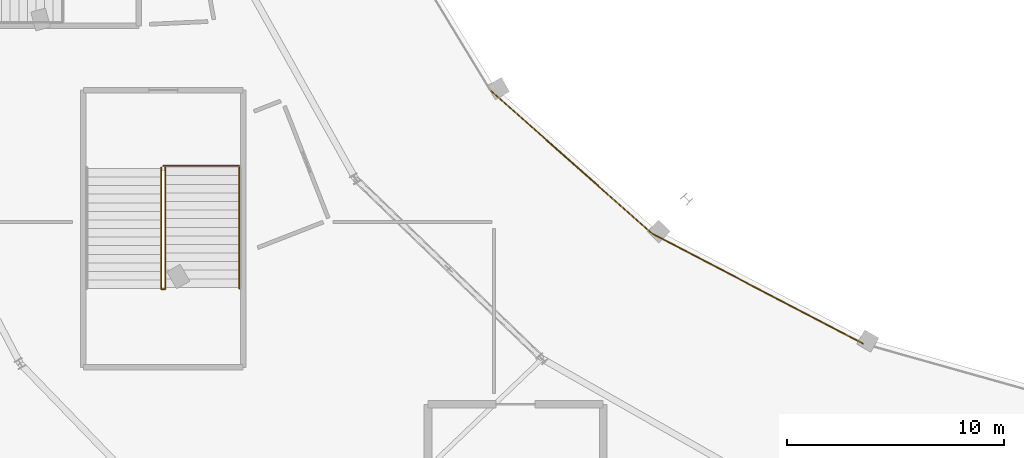
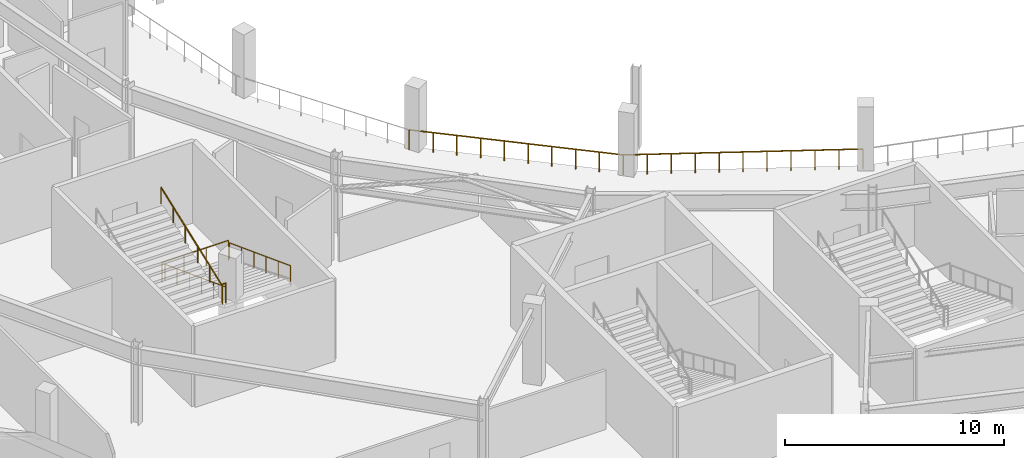
# One storey, part 104 of 123: 7 railings.
"""IFC4 building model written with IfcOpenShell, lengths in metres."""

from ifc_helpers import new_model, si_unit, direction, frame, origin, origin_2d, place, context, subcontext, project, spatial, circle, extrude, material, type_object, element, save


model = new_model("IFC4")

# Units and contexts
model_context = context("Model", 3, precision=1e-05, world=origin(), true_north=direction((0.0, 1.0)))
body_context = subcontext(model_context, "Body", "Model", "MODEL_VIEW")
ifc_project = project(units=[si_unit("LENGTHUNIT", "METRE"), si_unit("AREAUNIT", "SQUARE_METRE"), si_unit("VOLUMEUNIT", "CUBIC_METRE"), si_unit("PLANEANGLEUNIT", "RADIAN"), si_unit("MASSUNIT", "GRAM", prefix="KILO")], contexts=[model_context])

# Site, building, storey
site_placement = place(None, origin())
site = spatial("IfcSite", under=ifc_project, at=site_placement, CompositionType="ELEMENT")
building_placement = place(site_placement, origin())
building = spatial("IfcBuilding", under=site, at=building_placement, Name="Kalgoora Escarpment Arena", CompositionType="ELEMENT")
storey_placement = place(building_placement, frame((0.0, 0.0, 9.89990234375)))
storey = spatial("IfcBuildingStorey", under=building, at=storey_placement, Name="L02", CompositionType="ELEMENT", Elevation=9.89990234375)

# Railings
ifc_material_1 = material(Name="Galvanised & powdercoated tubular steel", Category="steel")
railing_type_1 = type_object("IfcRailingType", Name="RAL-GUARD-1120", PredefinedType="GUARDRAIL", material=ifc_material_1)
railing_1_placement = place(storey_placement, frame((36.889892578125, 38.919921875, 2.25)))
element("IfcRailing", 1, at=railing_1_placement, inside=storey, type_object=railing_type_1, Name="ST20 L02 half-landing well guard", PredefinedType="GUARDRAIL", context=body_context, shape_type="SweptSolid", body=[
    extrude(circle(Radius=0.02392578125, at=origin_2d()), frame((0.0, 0.0, 1.09619140625), z_axis=(-1.0, 0.0, 0.0), x_axis=(0.0, -1.0, 0.0)), (0.0, 0.0, 1.0), 0.179931640625),
    extrude(circle(Radius=0.02099609375, at=origin_2d()), origin(), (0.0, 0.0, 1.0), 1.072021484375),
    extrude(circle(Radius=0.02099609375, at=origin_2d()), frame((-0.179931640625, 0.0, 0.0)), (0.0, 0.0, 1.0), 1.072021484375),
])
railing_2_placement = place(storey_placement, frame((40.2900390625, 44.590087890625, 0.0)))
element("IfcRailing", 2, at=railing_2_placement, inside=storey, type_object=railing_type_1, Name="ST20 L02 floor landing well guard", PredefinedType="GUARDRAIL", context=body_context, shape_type="SweptSolid", body=[
    extrude(circle(Radius=0.02392578125, at=origin_2d()), frame((0.0, 0.0, 1.09619140625), z_axis=(-1.0, 0.0, 0.0), x_axis=(0.0, -1.0, 0.0)), (0.0, 0.0, 1.0), 3.489990234375),
    extrude(circle(Radius=0.02099609375, at=origin_2d()), origin(), (0.0, 0.0, 1.0), 1.072021484375),
    extrude(circle(Radius=0.02099609375, at=origin_2d()), frame((-1.163330078125, 0.0, 0.0)), (0.0, 0.0, 1.0), 1.072021484375),
    extrude(circle(Radius=0.02099609375, at=origin_2d()), frame((-2.32666015625, 0.0, 0.0)), (0.0, 0.0, 1.0), 1.072021484375),
    extrude(circle(Radius=0.02099609375, at=origin_2d()), frame((-3.489990234375, 0.0, 0.0)), (0.0, 0.0, 1.0), 1.072021484375),
])
railing_3_placement = place(storey_placement, frame((51.82666015625, 48.074951171875, 0.0)))
element("IfcRailing", 3, at=railing_3_placement, inside=storey, type_object=railing_type_1, Name="L02 concourse bowl balustrade 15", PredefinedType="GUARDRAIL", context=body_context, shape_type="SweptSolid", body=[
    extrude(circle(Radius=0.02392578125, at=origin_2d()), frame((0.0, 0.0, 1.09619140625), z_axis=(0.748487582417, -0.663148806051, 0.0), x_axis=(0.663148806051, 0.748487582417, 0.0)), (0.0, 0.0, 1.0), 9.947021484375),
    extrude(circle(Radius=0.02099609375, at=origin_2d()), origin(), (0.0, 0.0, 1.0), 1.072021484375),
    extrude(circle(Radius=0.02099609375, at=origin_2d()), frame((0.8271484375, -0.73291015625, 0.0)), (0.0, 0.0, 1.0), 1.072021484375),
    extrude(circle(Radius=0.02099609375, at=origin_2d()), frame((1.654541015625, -1.4658203125, 0.0)), (0.0, 0.0, 1.0), 1.072021484375),
    extrude(circle(Radius=0.02099609375, at=origin_2d()), frame((2.481689453125, -2.19873046875, 0.0)), (0.0, 0.0, 1.0), 1.072021484375),
    extrude(circle(Radius=0.02099609375, at=origin_2d()), frame((3.30908203125, -2.931640625, 0.0)), (0.0, 0.0, 1.0), 1.072021484375),
    extrude(circle(Radius=0.02099609375, at=origin_2d()), frame((4.13623046875, -3.664794921875, 0.0)), (0.0, 0.0, 1.0), 1.072021484375),
    extrude(circle(Radius=0.02099609375, at=origin_2d()), frame((4.963623046875, -4.397705078125, 0.0)), (0.0, 0.0, 1.0), 1.072021484375),
    extrude(circle(Radius=0.02099609375, at=origin_2d()), frame((5.790771484375, -5.130615234375, 0.0)), (0.0, 0.0, 1.0), 1.072021484375),
    extrude(circle(Radius=0.02099609375, at=origin_2d()), frame((6.6181640625, -5.863525390625, 0.0)), (0.0, 0.0, 1.0), 1.072021484375),
    extrude(circle(Radius=0.02099609375, at=origin_2d()), frame((7.4453125, -6.596435546875, 0.0)), (0.0, 0.0, 1.0), 1.072021484375),
])
railing_4_placement = place(storey_placement, frame((59.27197265625, 41.478515625, 0.0)))
element("IfcRailing", 4, at=railing_4_placement, inside=storey, type_object=railing_type_1, Name="L02 concourse bowl balustrade 16", PredefinedType="GUARDRAIL", context=body_context, shape_type="SweptSolid", body=[
    extrude(circle(Radius=0.02392578125, at=origin_2d()), frame((0.0, 0.0, 1.09619140625), z_axis=(0.886621438299, -0.462495865007, 0.0), x_axis=(0.462495865007, 0.886621438299, 0.0)), (0.0, 0.0, 1.0), 10.94384765625),
    extrude(circle(Radius=0.02099609375, at=origin_2d()), origin(), (0.0, 0.0, 1.0), 1.072021484375),
    extrude(circle(Radius=0.02099609375, at=origin_2d()), frame((0.97021484375, -0.506103515625, 0.0)), (0.0, 0.0, 1.0), 1.072021484375),
    extrude(circle(Radius=0.02099609375, at=origin_2d()), frame((1.940673828125, -1.01220703125, 0.0)), (0.0, 0.0, 1.0), 1.072021484375),
    extrude(circle(Radius=0.02099609375, at=origin_2d()), frame((2.910888671875, -1.5185546875, 0.0)), (0.0, 0.0, 1.0), 1.072021484375),
    extrude(circle(Radius=0.02099609375, at=origin_2d()), frame((3.88134765625, -2.024658203125, 0.0)), (0.0, 0.0, 1.0), 1.072021484375),
    extrude(circle(Radius=0.02099609375, at=origin_2d()), frame((4.8515625, -2.53076171875, 0.0)), (0.0, 0.0, 1.0), 1.072021484375),
    extrude(circle(Radius=0.02099609375, at=origin_2d()), frame((5.82177734375, -3.036865234375, 0.0)), (0.0, 0.0, 1.0), 1.072021484375),
    extrude(circle(Radius=0.02099609375, at=origin_2d()), frame((6.792236328125, -3.54296875, 0.0)), (0.0, 0.0, 1.0), 1.072021484375),
    extrude(circle(Radius=0.02099609375, at=origin_2d()), frame((7.762451171875, -4.04931640625, 0.0)), (0.0, 0.0, 1.0), 1.072021484375),
    extrude(circle(Radius=0.02099609375, at=origin_2d()), frame((8.73291015625, -4.555419921875, 0.0)), (0.0, 0.0, 1.0), 1.072021484375),
    extrude(circle(Radius=0.02099609375, at=origin_2d()), frame((9.703125, -5.0615234375, 0.0)), (0.0, 0.0, 1.0), 1.072021484375),
])
ifc_material_2 = material(Name="Brushed stainless steel 316 handrail", Category="steel")
railing_type_2 = type_object("IfcRailingType", Name="RAL-HAND-920", PredefinedType="HANDRAIL", material=ifc_material_2)
for number, where, name in (
    (5, (40.300048828125, 44.510009765625, 0.110107421875), "ST20 L02 pitched stair handrail F1L"),
    (6, (36.89990234375, 44.510009765625, 0.110107421875), "ST20 L02 pitched stair handrail F1R"),
):
    element("IfcRailing", number, at=place(storey_placement, frame(where)), inside=storey, type_object=railing_type_2, Name=name, PredefinedType="HANDRAIL", context=body_context, shape_type="SweptSolid", body=[
        extrude(circle(Radius=0.02392578125, at=origin_2d()), frame((0.0, 0.0, 0.89599609375), z_axis=(0.0, -0.935492612948, 0.353346248203), x_axis=(1.0, 0.0, 0.0)), (0.0, 0.0, 1.0), 5.943359375),
        extrude(circle(Radius=0.02099609375, at=origin_2d()), origin(), (0.0, 0.0, 1.0), 0.871826171875),
        extrude(circle(Radius=0.02099609375, at=origin_2d()), frame((0.0, -1.112060546875, 0.419921875)), (0.0, 0.0, 1.0), 0.871826171875),
        extrude(circle(Radius=0.02099609375, at=origin_2d()), frame((0.0, -2.22412109375, 0.840087890625)), (0.0, 0.0, 1.0), 0.871826171875),
        extrude(circle(Radius=0.02099609375, at=origin_2d()), frame((0.0, -3.3359375, 1.260009765625)), (0.0, 0.0, 1.0), 0.871826171875),
        extrude(circle(Radius=0.02099609375, at=origin_2d()), frame((0.0, -4.447998046875, 1.68017578125)), (0.0, 0.0, 1.0), 0.871826171875),
        extrude(circle(Radius=0.02099609375, at=origin_2d()), frame((0.0, -5.56005859375, 2.10009765625)), (0.0, 0.0, 1.0), 0.871826171875),
    ])
railing_5_placement = place(storey_placement, frame((36.699951171875, 38.949951171875, 2.360107421875)))
element("IfcRailing", 7, at=railing_5_placement, inside=storey, type_object=railing_type_2, Name="ST20 L02 pitched stair handrail F2L", PredefinedType="HANDRAIL", context=body_context, shape_type="SweptSolid", body=[
    extrude(circle(Radius=0.02392578125, at=origin_2d()), frame((0.0, 0.0, 0.89599609375), z_axis=(0.0, 0.935492612948, 0.353346248203), x_axis=(-1.0, 0.0, 0.0)), (0.0, 0.0, 1.0), 5.943359375),
    extrude(circle(Radius=0.02099609375, at=origin_2d()), origin(), (0.0, 0.0, 1.0), 0.871826171875),
    extrude(circle(Radius=0.02099609375, at=origin_2d()), frame((0.0, 1.112060546875, 0.419921875)), (0.0, 0.0, 1.0), 0.871826171875),
    extrude(circle(Radius=0.02099609375, at=origin_2d()), frame((0.0, 2.22412109375, 0.840087890625)), (0.0, 0.0, 1.0), 0.871826171875),
    extrude(circle(Radius=0.02099609375, at=origin_2d()), frame((0.0, 3.3359375, 1.260009765625)), (0.0, 0.0, 1.0), 0.871826171875),
    extrude(circle(Radius=0.02099609375, at=origin_2d()), frame((0.0, 4.447998046875, 1.68017578125)), (0.0, 0.0, 1.0), 0.871826171875),
    extrude(circle(Radius=0.02099609375, at=origin_2d()), frame((0.0, 5.56005859375, 2.10009765625)), (0.0, 0.0, 1.0), 0.871826171875),
])

save(model, "model.ifc")
